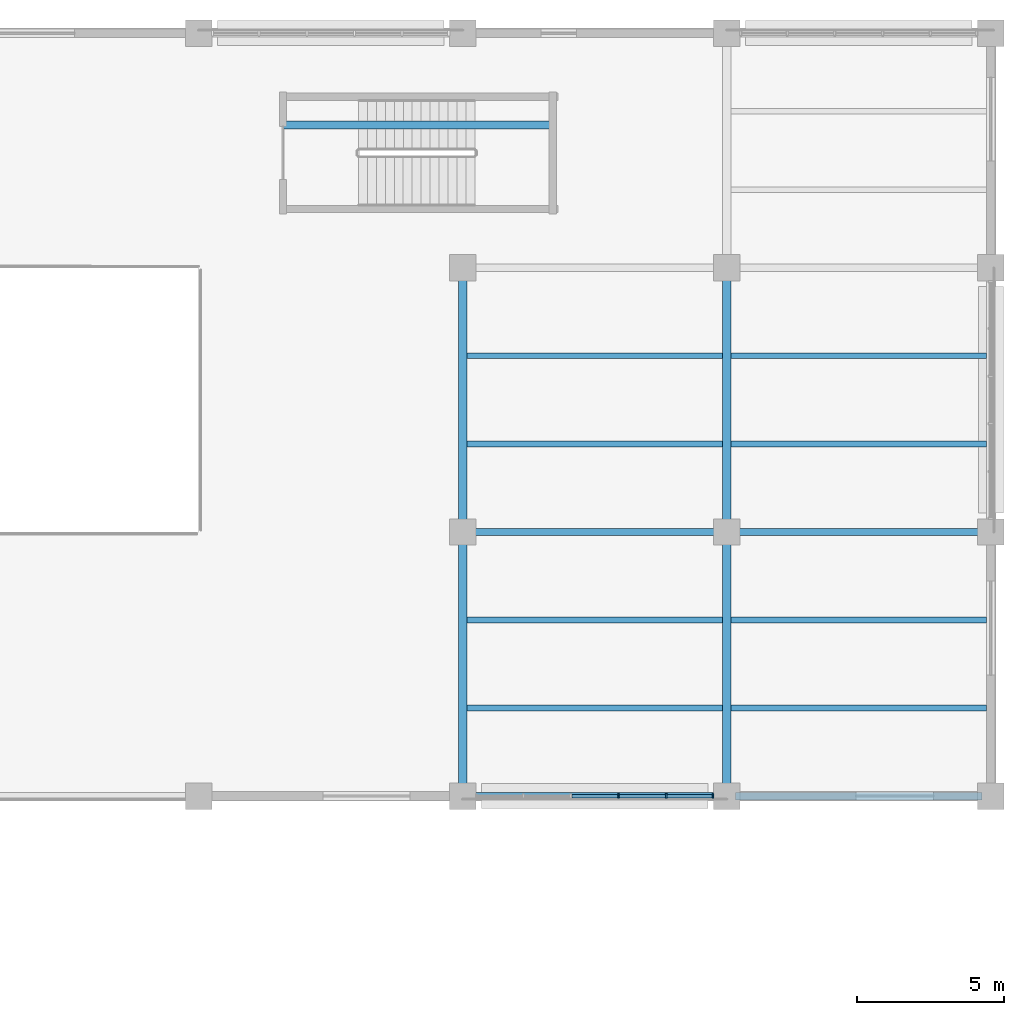
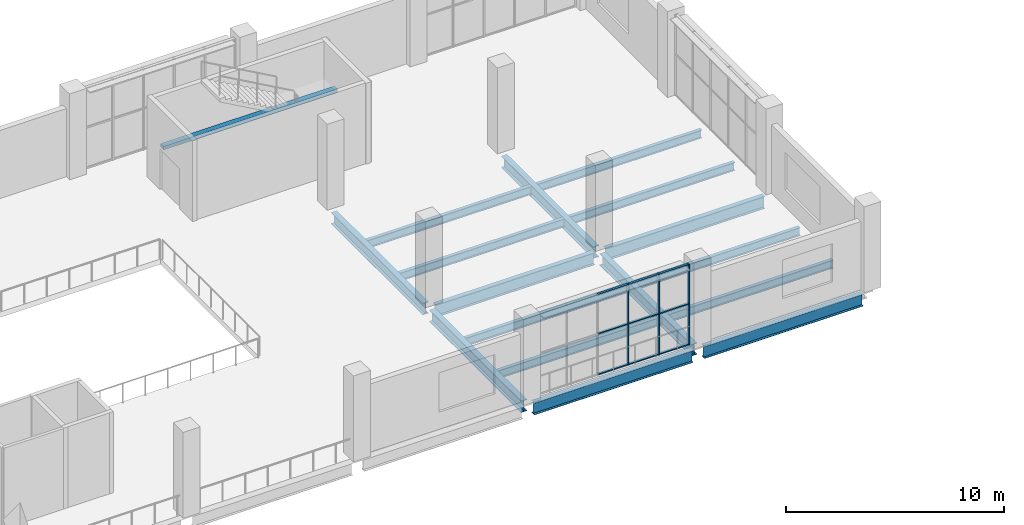
# One storey, part 69 of 183: 17 beams, 12 members, 1 element without a shape of its own.
"""IFC4 building model written with IfcOpenShell, lengths in metres."""

from ifc_helpers import new_model, si_unit, direction, frame, origin, origin_2d, place, context, subcontext, project, spatial, rectangle, i_section, extrude, material, material_profile, profile_set, type_object, element, aggregate, save


model = new_model("IFC4")

# Units and contexts
model_context = context("Model", 3, precision=1e-05, world=origin(), true_north=direction((0.0, 1.0)))
body_context = subcontext(model_context, "Body", "Model", "MODEL_VIEW")
ifc_project = project(units=[si_unit("LENGTHUNIT", "METRE"), si_unit("AREAUNIT", "SQUARE_METRE"), si_unit("VOLUMEUNIT", "CUBIC_METRE"), si_unit("PLANEANGLEUNIT", "RADIAN"), si_unit("MASSUNIT", "GRAM", prefix="KILO")], contexts=[model_context])

# Site, building, storey
site_placement = place(None, origin())
site = spatial("IfcSite", under=ifc_project, at=site_placement, CompositionType="ELEMENT")
building_placement = place(site_placement, origin())
building = spatial("IfcBuilding", under=site, at=building_placement, Name="Zevraka Park Crest Stadium", CompositionType="ELEMENT")
storey_placement = place(building_placement, frame((0.0, 0.0, 5.39990234375)))
storey = spatial("IfcBuildingStorey", under=building, at=storey_placement, Name="L01", CompositionType="ELEMENT", Elevation=5.39990234375)

# Beams
ifc_material_1 = material(Name="Steel S355", Category="steel")
ifc_material_profile_1 = material_profile(ifc_material_1, i_section(OverallWidth=0.253662109375, OverallDepth=0.68359375, WebThickness=0.012451171875, FlangeThickness=0.01904296875, at=origin_2d()), Name="UKB 686x254x140")
ifc_profile_set_1 = profile_set([ifc_material_profile_1], Name="Steel S355")
beam_type_1 = type_object("IfcBeamType", Name="BG05", PredefinedType="BEAM", material=ifc_profile_set_1)
for number, where, z_axis, x_axis, name in (
    (1, (206.300048828125, 158.0, -0.649658203125), (1.0, 0.0, 0.0), (0.0, 1.0, 0.0), "Wing Girder BG05 L01-2324/T"),
    (2, (206.300048828125, 167.0, -0.649658203125), (1.0, 0.0, 0.0), (0.0, 1.0, 0.0), "Wing Girder BG05 L01-2324/U"),
    (3, (215.300048828125, 158.0, -0.649658203125), (1.0, 0.0, 0.0), (0.0, 1.0, 0.0), "Wing Girder BG05 L01-2425/T"),
    (4, (215.300048828125, 167.0, -0.649658203125), (1.0, 0.0, 0.0), (0.0, 1.0, 0.0), "Wing Girder BG05 L01-2425/U"),
):
    element("IfcBeam", number, at=place(storey_placement, frame(where, z_axis=z_axis, x_axis=x_axis)), inside=storey, type_object=beam_type_1, Name=name, PredefinedType="BEAM", context=body_context, shape_type="SweptSolid", body=[
        extrude(i_section(OverallWidth=0.253662109375, OverallDepth=0.68359375, WebThickness=0.012451171875, FlangeThickness=0.01904296875, at=origin_2d()), origin(), (0.0, 0.0, 1.0), 8.39990234375),
    ])
ifc_material_2 = material(Name="Steel S355", Category="steel")
ifc_material_profile_2 = material_profile(ifc_material_2, i_section(OverallWidth=0.300048828125, OverallDepth=0.64990234375, WebThickness=0.01611328125, FlangeThickness=0.031005859375, at=origin_2d()), Name="HEB 650")
ifc_profile_set_2 = profile_set([ifc_material_profile_2], Name="Steel S355")
beam_type_2 = type_object("IfcBeamType", Name="BG07", PredefinedType="BEAM", material=ifc_profile_set_2)
for number, where, z_axis, x_axis, name in (
    (5, (206.0, 158.300048828125, -0.6328125), (0.0, 1.0, 0.0), (-1.0, 0.0, 0.0), "Wing Girder BG07 L01-23/TU"),
    (6, (206.0, 167.300048828125, -0.6328125), (0.0, 1.0, 0.0), (-1.0, 0.0, 0.0), "Wing Girder BG07 L01-23/UV"),
    (7, (215.0, 158.300048828125, -0.6328125), (0.0, 1.0, 0.0), (-1.0, 0.0, 0.0), "Wing Girder BG07 L01-24/TU"),
    (8, (215.0, 167.300048828125, -0.6328125), (0.0, 1.0, 0.0), (-1.0, 0.0, 0.0), "Wing Girder BG07 L01-24/UV"),
):
    element("IfcBeam", number, at=place(storey_placement, frame(where, z_axis=z_axis, x_axis=x_axis)), inside=storey, type_object=beam_type_2, Name=name, PredefinedType="BEAM", context=body_context, shape_type="SweptSolid", body=[
        extrude(i_section(OverallWidth=0.300048828125, OverallDepth=0.64990234375, WebThickness=0.01611328125, FlangeThickness=0.031005859375, at=origin_2d()), origin(), (0.0, 0.0, 1.0), 8.39990234375),
    ])

# Curtain wall, members
ifc_material_3 = material(Name="Anodised architectural aluminium and laminated safety glass", Category="aluminium")
curtain_wall_type = type_object("IfcCurtainWallType", Name="CW28", PredefinedType="NOTDEFINED", material=ifc_material_3)
curtain_wall_placement = place(storey_placement, origin())
curtain_wall = element("IfcCurtainWall", 9, at=curtain_wall_placement, inside=storey, type_object=curtain_wall_type, Name="Wing Curtain Wall CW28 L01-NGATE-S-2", PredefinedType="NOTDEFINED")
ifc_material_4 = material(Name="Anodised architectural aluminium", Category="aluminium")
ifc_material_profile_3 = material_profile(ifc_material_4, rectangle(XDim=0.159912109375, YDim=0.06005859375, at=origin_2d()), Name="ALU MULLION 160x60")
ifc_profile_set_3 = profile_set([ifc_material_profile_3], Name="Anodised architectural aluminium")
member_type_1 = type_object("IfcMemberType", Name="CM01", PredefinedType="MULLION", material=ifc_profile_set_3)
member_1_placement = place(storey_placement, frame((214.530029296875, 158.0, 0.0), z_axis=(0.0, 0.0, 1.0), x_axis=(0.0, -1.0, 0.0)))
member_1 = element("IfcMember", 10, at=member_1_placement, type_object=member_type_1, Name="CW28 mullion 1", PredefinedType="MULLION", context=body_context, shape_type="SweptSolid", body=[
    extrude(rectangle(XDim=0.159912109375, YDim=0.06005859375, at=origin_2d()), origin(), (0.0, 0.0, 1.0), 4.52001953125),
])
member_2_placement = place(storey_placement, frame((212.93603515625, 158.0, 0.0), z_axis=(0.0, 0.0, 1.0), x_axis=(0.0, -1.0, 0.0)))
member_2 = element("IfcMember", 11, at=member_2_placement, type_object=member_type_1, Name="CW28 mullion 2", PredefinedType="MULLION", context=body_context, shape_type="SweptSolid", body=[
    extrude(rectangle(XDim=0.159912109375, YDim=0.06005859375, at=origin_2d()), origin(), (0.0, 0.0, 1.0), 4.52001953125),
])
member_3_placement = place(storey_placement, frame((211.31201171875, 158.0, 0.0), z_axis=(0.0, 0.0, 1.0), x_axis=(0.0, -1.0, 0.0)))
member_3 = element("IfcMember", 12, at=member_3_placement, type_object=member_type_1, Name="CW28 mullion 3", PredefinedType="MULLION", context=body_context, shape_type="SweptSolid", body=[
    extrude(rectangle(XDim=0.159912109375, YDim=0.06005859375, at=origin_2d()), origin(), (0.0, 0.0, 1.0), 4.52001953125),
])
ifc_material_5 = material(Name="Anodised architectural aluminium", Category="aluminium")
ifc_material_profile_4 = material_profile(ifc_material_5, rectangle(XDim=0.1201171875, YDim=0.06005859375, at=origin_2d()), Name="ALU TRANSOM 120x60")
ifc_profile_set_4 = profile_set([ifc_material_profile_4], Name="Anodised architectural aluminium")
member_type_2 = type_object("IfcMemberType", Name="CT01", PredefinedType="USERDEFINED", material=ifc_profile_set_4)
member_4_placement = place(storey_placement, frame((214.5, 158.0, 0.030029296875), z_axis=(-1.0, 0.0, 0.0), x_axis=(0.0, -1.0, 0.0)))
member_4 = element("IfcMember", 13, at=member_4_placement, type_object=member_type_2, Name="CW28 transom 1.1", ObjectType="TRANSOM", PredefinedType="USERDEFINED", context=body_context, shape_type="SweptSolid", body=[
    extrude(rectangle(XDim=0.1201171875, YDim=0.06005859375, at=origin_2d()), origin(), (0.0, 0.0, 1.0), 1.533935546875),
])
member_5_placement = place(storey_placement, frame((214.5, 158.0, 2.300048828125), z_axis=(-1.0, 0.0, 0.0), x_axis=(0.0, -1.0, 0.0)))
member_5 = element("IfcMember", 14, at=member_5_placement, type_object=member_type_2, Name="CW28 transom 1.2", ObjectType="TRANSOM", PredefinedType="USERDEFINED", context=body_context, shape_type="SweptSolid", body=[
    extrude(rectangle(XDim=0.1201171875, YDim=0.06005859375, at=origin_2d()), origin(), (0.0, 0.0, 1.0), 1.533935546875),
])
member_6_placement = place(storey_placement, frame((214.5, 158.0, 4.489990234375), z_axis=(-1.0, 0.0, 0.0), x_axis=(0.0, -1.0, 0.0)))
member_6 = element("IfcMember", 15, at=member_6_placement, type_object=member_type_2, Name="CW28 transom 1.3", ObjectType="TRANSOM", PredefinedType="USERDEFINED", context=body_context, shape_type="SweptSolid", body=[
    extrude(rectangle(XDim=0.1201171875, YDim=0.06005859375, at=origin_2d()), origin(), (0.0, 0.0, 1.0), 1.533935546875),
])
member_7_placement = place(storey_placement, frame((212.906005859375, 158.0, 0.030029296875), z_axis=(-1.0, 0.0, 0.0), x_axis=(0.0, -1.0, 0.0)))
member_7 = element("IfcMember", 16, at=member_7_placement, type_object=member_type_2, Name="CW28 transom 2.1", ObjectType="TRANSOM", PredefinedType="USERDEFINED", context=body_context, shape_type="SweptSolid", body=[
    extrude(rectangle(XDim=0.1201171875, YDim=0.06005859375, at=origin_2d()), origin(), (0.0, 0.0, 1.0), 1.56396484375),
])
member_8_placement = place(storey_placement, frame((212.906005859375, 158.0, 2.300048828125), z_axis=(-1.0, 0.0, 0.0), x_axis=(0.0, -1.0, 0.0)))
member_8 = element("IfcMember", 17, at=member_8_placement, type_object=member_type_2, Name="CW28 transom 2.2", ObjectType="TRANSOM", PredefinedType="USERDEFINED", context=body_context, shape_type="SweptSolid", body=[
    extrude(rectangle(XDim=0.1201171875, YDim=0.06005859375, at=origin_2d()), origin(), (0.0, 0.0, 1.0), 1.56396484375),
])
member_9_placement = place(storey_placement, frame((212.906005859375, 158.0, 4.489990234375), z_axis=(-1.0, 0.0, 0.0), x_axis=(0.0, -1.0, 0.0)))
member_9 = element("IfcMember", 18, at=member_9_placement, type_object=member_type_2, Name="CW28 transom 2.3", ObjectType="TRANSOM", PredefinedType="USERDEFINED", context=body_context, shape_type="SweptSolid", body=[
    extrude(rectangle(XDim=0.1201171875, YDim=0.06005859375, at=origin_2d()), origin(), (0.0, 0.0, 1.0), 1.56396484375),
])
member_10_placement = place(storey_placement, frame((211.281982421875, 158.0, 0.030029296875), z_axis=(-1.0, 0.0, 0.0), x_axis=(0.0, -1.0, 0.0)))
member_10 = element("IfcMember", 19, at=member_10_placement, type_object=member_type_2, Name="CW28 transom 3.1", ObjectType="TRANSOM", PredefinedType="USERDEFINED", context=body_context, shape_type="SweptSolid", body=[
    extrude(rectangle(XDim=0.1201171875, YDim=0.06005859375, at=origin_2d()), origin(), (0.0, 0.0, 1.0), 1.56396484375),
])
member_11_placement = place(storey_placement, frame((211.281982421875, 158.0, 2.300048828125), z_axis=(-1.0, 0.0, 0.0), x_axis=(0.0, -1.0, 0.0)))
member_11 = element("IfcMember", 20, at=member_11_placement, type_object=member_type_2, Name="CW28 transom 3.2", ObjectType="TRANSOM", PredefinedType="USERDEFINED", context=body_context, shape_type="SweptSolid", body=[
    extrude(rectangle(XDim=0.1201171875, YDim=0.06005859375, at=origin_2d()), origin(), (0.0, 0.0, 1.0), 1.56396484375),
])
member_12_placement = place(storey_placement, frame((211.281982421875, 158.0, 4.489990234375), z_axis=(-1.0, 0.0, 0.0), x_axis=(0.0, -1.0, 0.0)))
member_12 = element("IfcMember", 21, at=member_12_placement, type_object=member_type_2, Name="CW28 transom 3.3", ObjectType="TRANSOM", PredefinedType="USERDEFINED", context=body_context, shape_type="SweptSolid", body=[
    extrude(rectangle(XDim=0.1201171875, YDim=0.06005859375, at=origin_2d()), origin(), (0.0, 0.0, 1.0), 1.56396484375),
])
aggregate(curtain_wall, [member_1, member_2, member_3, member_4, member_5, member_6, member_7, member_8, member_9, member_10, member_11, member_12])

# Beams
ifc_material_6 = material(Name="Steel S355", Category="steel")
ifc_material_profile_5 = material_profile(ifc_material_6, i_section(OverallWidth=0.18994140625, OverallDepth=0.45703125, WebThickness=0.009033203125, FlangeThickness=0.014404296875, at=origin_2d()), Name="UKB 457x191x74")
ifc_profile_set_5 = profile_set([ifc_material_profile_5], Name="Steel S355")
beam_type_3 = type_object("IfcBeamType", Name="SJ12", PredefinedType="JOIST", material=ifc_profile_set_5)
for number, where, z_axis, x_axis, name in (
    (22, (206.14501953125, 161.0, -0.538330078125), (1.0, 0.0, 0.0), (0.0, 1.0, 0.0), "Wing Joist SJ12 L01-23/T-1"),
    (23, (206.14501953125, 164.0, -0.538330078125), (1.0, 0.0, 0.0), (0.0, 1.0, 0.0), "Wing Joist SJ12 L01-23/T-2"),
    (24, (206.14501953125, 170.0, -0.538330078125), (1.0, 0.0, 0.0), (0.0, 1.0, 0.0), "Wing Joist SJ12 L01-23/U-1"),
    (25, (206.14501953125, 173.0, -0.538330078125), (1.0, 0.0, 0.0), (0.0, 1.0, 0.0), "Wing Joist SJ12 L01-23/U-2"),
    (26, (215.14501953125, 161.0, -0.538330078125), (1.0, 0.0, 0.0), (0.0, 1.0, 0.0), "Wing Joist SJ12 L01-24/T-1"),
    (27, (215.14501953125, 164.0, -0.538330078125), (1.0, 0.0, 0.0), (0.0, 1.0, 0.0), "Wing Joist SJ12 L01-24/T-2"),
    (28, (215.14501953125, 170.0, -0.538330078125), (1.0, 0.0, 0.0), (0.0, 1.0, 0.0), "Wing Joist SJ12 L01-24/U-1"),
    (29, (215.14501953125, 173.0, -0.538330078125), (1.0, 0.0, 0.0), (0.0, 1.0, 0.0), "Wing Joist SJ12 L01-24/U-2"),
):
    element("IfcBeam", number, at=place(storey_placement, frame(where, z_axis=z_axis, x_axis=x_axis)), inside=storey, type_object=beam_type_3, Name=name, PredefinedType="JOIST", context=body_context, shape_type="SweptSolid", body=[
        extrude(i_section(OverallWidth=0.18994140625, OverallDepth=0.45703125, WebThickness=0.009033203125, FlangeThickness=0.014404296875, at=origin_2d()), origin(), (0.0, 0.0, 1.0), 8.7099609375),
    ])
ifc_material_7 = material(Name="Concrete C40/50", Category="concrete")
ifc_material_profile_6 = material_profile(ifc_material_7, rectangle(XDim=0.280029296875, YDim=0.199951171875, at=origin_2d()), Name="RC 200x280")
ifc_profile_set_6 = profile_set([ifc_material_profile_6], Name="Concrete C40/50")
beam_type_4 = type_object("IfcBeamType", Name="SJ13", PredefinedType="JOIST", material=ifc_profile_set_6)
beam_placement = place(storey_placement, frame((199.89990234375, 180.875, 2.300048828125), z_axis=(1.0, 0.0, 0.0), x_axis=(0.0, 1.0, 0.0)))
element("IfcBeam", 30, at=beam_placement, inside=storey, type_object=beam_type_4, Name="Stair Upper-Flight Longitudinal Stringer SJ13 ST45-L01", PredefinedType="JOIST", context=body_context, shape_type="SweptSolid", body=[
    extrude(rectangle(XDim=0.280029296875, YDim=0.199951171875, at=origin_2d()), origin(), (0.0, 0.0, 1.0), 9.2001953125),
])

save(model, "model.ifc")
